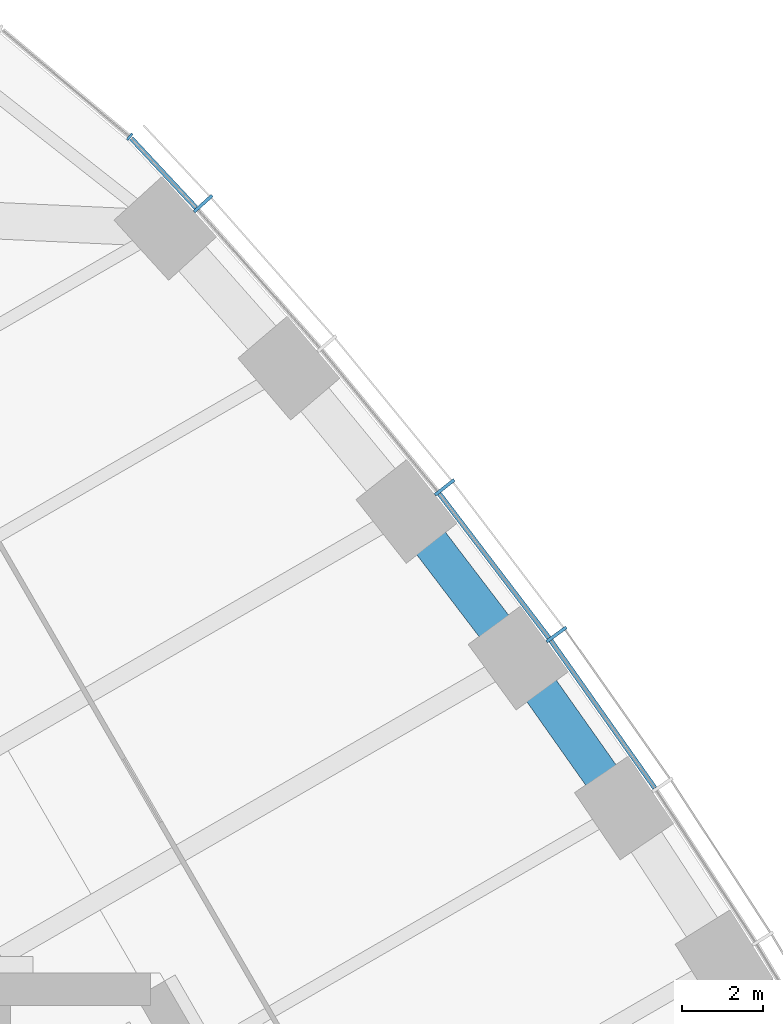
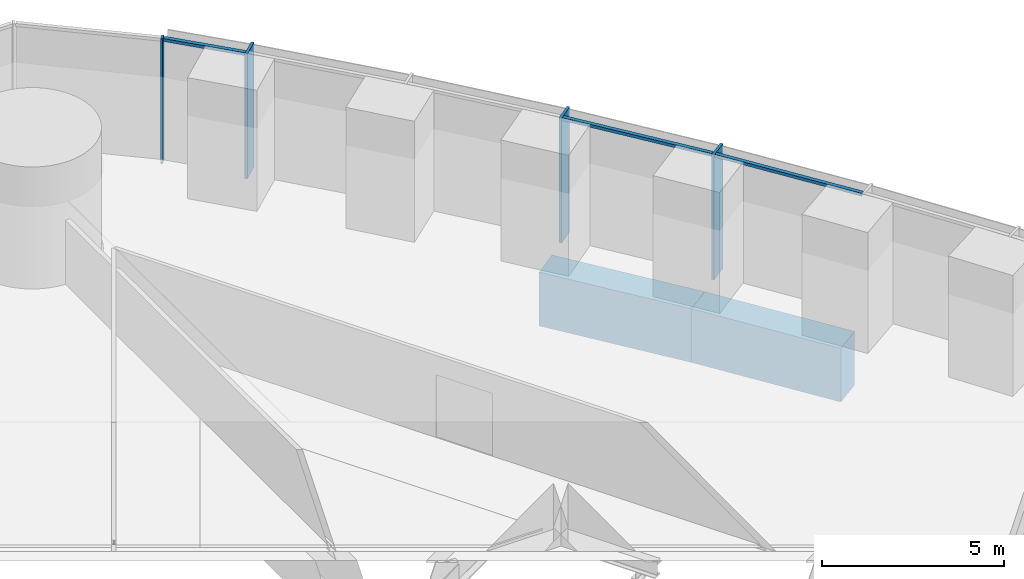
# One storey, part 6 of 18: 7 members, 2 beams, 2 elements without a shape of their own.
"""IFC4 building model written with IfcOpenShell, lengths in metres."""

from ifc_helpers import new_model, si_unit, direction, frame, origin, origin_2d, place, context, subcontext, project, spatial, rectangle, extrude, material, material_profile, profile_set, type_object, element, aggregate, save


model = new_model("IFC4")

# Units and contexts
model_context = context("Model", 3, precision=1e-05, world=origin(), true_north=direction((0.0, 1.0)))
body_context = subcontext(model_context, "Body", "Model", "MODEL_VIEW")
ifc_project = project(units=[si_unit("LENGTHUNIT", "METRE"), si_unit("AREAUNIT", "SQUARE_METRE"), si_unit("VOLUMEUNIT", "CUBIC_METRE"), si_unit("PLANEANGLEUNIT", "RADIAN"), si_unit("MASSUNIT", "GRAM", prefix="KILO")], contexts=[model_context])

# Site, building, storey
site_placement = place(None, origin())
site = spatial("IfcSite", under=ifc_project, at=site_placement, CompositionType="ELEMENT")
building_placement = place(site_placement, origin())
building = spatial("IfcBuilding", under=site, at=building_placement, Name="Trefoil Bronze Tower", CompositionType="ELEMENT")
storey_placement = place(building_placement, frame((0.0, 0.0, 161.89990234375)))
storey = spatial("IfcBuildingStorey", under=building, at=storey_placement, Name="L37", CompositionType="ELEMENT", Elevation=161.89990234375)

# Curtain wall, members
ifc_material_1 = material(Name="Tinted solar-control glass", Category="glass")
curtain_wall_type_1 = type_object("IfcCurtainWallType", Name="Bronze office curtain wall", PredefinedType="USERDEFINED", material=ifc_material_1)
curtain_wall_1_placement = place(storey_placement, origin())
curtain_wall_1 = element("IfcCurtainWall", 1, at=curtain_wall_1_placement, inside=storey, type_object=curtain_wall_type_1, Name="CW-A L37 F2", ObjectType="CURTAIN WALL", PredefinedType="USERDEFINED")
ifc_material_2 = material(Name="Bronze-finish aluminium", Category="aluminium")
ifc_material_profile_1 = material_profile(ifc_material_2, rectangle(XDim=0.60009765625, YDim=0.080078125, at=origin_2d()), Name="CW-A mullion")
ifc_profile_set_1 = profile_set([ifc_material_profile_1], Name="Bronze-finish aluminium")
member_type_1 = type_object("IfcMemberType", Name="Bronze office curtain wall mullion", PredefinedType="MULLION", material=ifc_profile_set_1)
member_1_placement = place(storey_placement, frame((15.764404296875, 24.7275390625, 0.0), z_axis=(0.0, 0.0, 1.0), x_axis=(-0.806874522901, -0.590722865897, 0.0)))
member_1 = element("IfcMember", 2, at=member_1_placement, type_object=member_type_1, Name="CW-A L37 F2 mullion 11", PredefinedType="MULLION", context=body_context, shape_type="SweptSolid", body=[
    extrude(rectangle(XDim=0.60009765625, YDim=0.080078125, at=origin_2d()), origin(), (0.0, 0.0, 1.0), 4.18017578125),
])
member_2_placement = place(storey_placement, frame((13.01220703125, 28.34716796875, 0.0), z_axis=(0.0, 0.0, 1.0), x_axis=(-0.78487913905, -0.619648882098, 0.0)))
member_2 = element("IfcMember", 3, at=member_2_placement, type_object=member_type_1, Name="CW-A L37 F2 mullion 12", PredefinedType="MULLION", context=body_context, shape_type="SweptSolid", body=[
    extrude(rectangle(XDim=0.60009765625, YDim=0.080078125, at=origin_2d()), origin(), (0.0, 0.0, 1.0), 4.18017578125),
])
member_3_placement = place(storey_placement, frame((7.070068359375, 35.332275390625, 0.0), z_axis=(0.0, 0.0, 1.0), x_axis=(-0.740360700327, -0.672209813534, 0.0)))
member_3 = element("IfcMember", 4, at=member_3_placement, type_object=member_type_1, Name="CW-A L37 F2 mullion 14", PredefinedType="MULLION", context=body_context, shape_type="SweptSolid", body=[
    extrude(rectangle(XDim=0.60009765625, YDim=0.080078125, at=origin_2d()), origin(), (0.0, 0.0, 1.0), 4.18017578125),
])
ifc_material_3 = material(Name="Bronze-finish aluminium", Category="aluminium")
ifc_material_profile_2 = material_profile(ifc_material_3, rectangle(XDim=0.1201171875, YDim=0.10009765625, at=origin_2d()), Name="CW-A transom")
ifc_profile_set_2 = profile_set([ifc_material_profile_2], Name="Bronze-finish aluminium")
member_type_2 = type_object("IfcMemberType", Name="Bronze office curtain wall transom", PredefinedType="USERDEFINED", material=ifc_profile_set_2)
member_4_placement = place(storey_placement, frame((18.18359375, 20.947021484375, 4.130126953125), z_axis=(-0.576017858824, 0.817437108478, 0.0), x_axis=(-0.817437108478, -0.576017858824, 0.0)))
member_4 = element("IfcMember", 5, at=member_4_placement, type_object=member_type_2, Name="CW-A L37 F2 transom 10", ObjectType="TRANSOM", PredefinedType="USERDEFINED", context=body_context, shape_type="SweptSolid", body=[
    extrude(rectangle(XDim=0.1201171875, YDim=0.10009765625, at=origin_2d()), origin(), (0.0, 0.0, 1.0), 4.4384765625),
])
member_5_placement = place(storey_placement, frame((15.57763671875, 24.642578125, 4.130126953125), z_axis=(-0.605229114572, 0.796051329296, 0.0), x_axis=(-0.796051329296, -0.605229114572, 0.0)))
member_5 = element("IfcMember", 6, at=member_5_placement, type_object=member_type_2, Name="CW-A L37 F2 transom 11", ObjectType="TRANSOM", PredefinedType="USERDEFINED", context=body_context, shape_type="SweptSolid", body=[
    extrude(rectangle(XDim=0.1201171875, YDim=0.10009765625, at=origin_2d()), origin(), (0.0, 0.0, 1.0), 4.456298828125),
])
member_6_placement = place(storey_placement, frame((6.893798828125, 35.22802734375, 4.130126953125), z_axis=(-0.682489214428, 0.730895664366, 0.0), x_axis=(-0.730895664366, -0.682489214428, 0.0)))
member_6 = element("IfcMember", 7, at=member_6_placement, type_object=member_type_2, Name="CW-A L37 F2 transom 14", ObjectType="TRANSOM", PredefinedType="USERDEFINED", context=body_context, shape_type="SweptSolid", body=[
    extrude(rectangle(XDim=0.1201171875, YDim=0.10009765625, at=origin_2d()), origin(), (0.0, 0.0, 1.0), 2.340087890625),
])
aggregate(curtain_wall_1, [member_1, member_2, member_3, member_4, member_5, member_6])

# Curtain wall, member
ifc_material_4 = material(Name="Tinted solar-control glass", Category="glass")
curtain_wall_type_2 = type_object("IfcCurtainWallType", Name="Bronze rounded corner curtain wall", PredefinedType="USERDEFINED", material=ifc_material_4)
curtain_wall_2_placement = place(storey_placement, origin())
curtain_wall_2 = element("IfcCurtainWall", 8, at=curtain_wall_2_placement, inside=storey, type_object=curtain_wall_type_2, Name="CW-B L37 K2", ObjectType="CURTAIN WALL", PredefinedType="USERDEFINED")
ifc_material_5 = material(Name="Bronze-finish aluminium", Category="aluminium")
ifc_material_profile_3 = material_profile(ifc_material_5, rectangle(XDim=0.199951171875, YDim=0.06005859375, at=origin_2d()), Name="CW-B mullion")
ifc_profile_set_3 = profile_set([ifc_material_profile_3], Name="Bronze-finish aluminium")
member_type_3 = type_object("IfcMemberType", Name="Bronze rounded corner curtain wall mullion", PredefinedType="MULLION", material=ifc_profile_set_3)
member_7_placement = place(storey_placement, frame((5.260498046875, 36.975830078125, 0.0), z_axis=(0.0, 0.0, 1.0), x_axis=(-0.642787609687, -0.766044443119, 0.0)))
member_7 = element("IfcMember", 9, at=member_7_placement, type_object=member_type_3, Name="CW-B L37 K2 mullion 1", PredefinedType="MULLION", context=body_context, shape_type="SweptSolid", body=[
    extrude(rectangle(XDim=0.199951171875, YDim=0.06005859375, at=origin_2d()), origin(), (0.0, 0.0, 1.0), 4.18017578125),
])
aggregate(curtain_wall_2, [member_7])

# Beams
ifc_material_6 = material(Name="Concrete B80", Category="concrete")
ifc_material_profile_4 = material_profile(ifc_material_6, rectangle(XDim=0.89990234375, YDim=1.800048828125, at=origin_2d()), Name="RC 900x1800")
ifc_profile_set_4 = profile_set([ifc_material_profile_4], Name="Concrete B80")
beam_type = type_object("IfcBeamType", Name="Spandrel beam RC 900x1800", PredefinedType="SPANDREL", material=ifc_profile_set_4)
beam_1_placement = place(storey_placement, frame((17.43017578125, 20.45556640625, -1.099853515625), z_axis=(-0.576439228712, 0.81714002203, 0.0), x_axis=(-0.81714002203, -0.576439228712, 0.0)))
element("IfcBeam", 10, at=beam_1_placement, inside=storey, type_object=beam_type, Name="Spandrel F2.10 L37", PredefinedType="SPANDREL", context=body_context, shape_type="SweptSolid", body=[
    extrude(rectangle(XDim=0.89990234375, YDim=1.800048828125, at=origin_2d()), origin(), (0.0, 0.0, 1.0), 4.5185546875),
])
beam_2_placement = place(storey_placement, frame((14.825439453125, 24.14794921875, -1.099853515625), z_axis=(-0.605898901788, 0.795541652468, 0.0), x_axis=(-0.795541652468, -0.605898901788, 0.0)))
element("IfcBeam", 11, at=beam_2_placement, inside=storey, type_object=beam_type, Name="Spandrel F2.11 L37", PredefinedType="SPANDREL", context=body_context, shape_type="SweptSolid", body=[
    extrude(rectangle(XDim=0.89990234375, YDim=1.800048828125, at=origin_2d()), origin(), (0.0, 0.0, 1.0), 4.53662109375),
])

save(model, "model.ifc")
